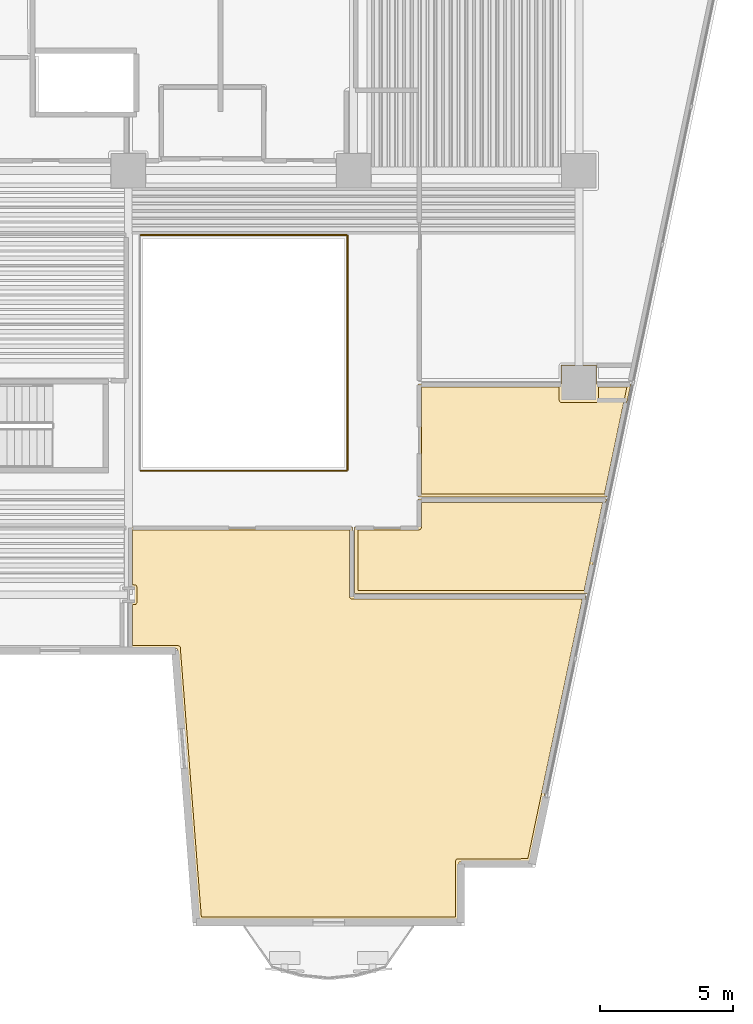
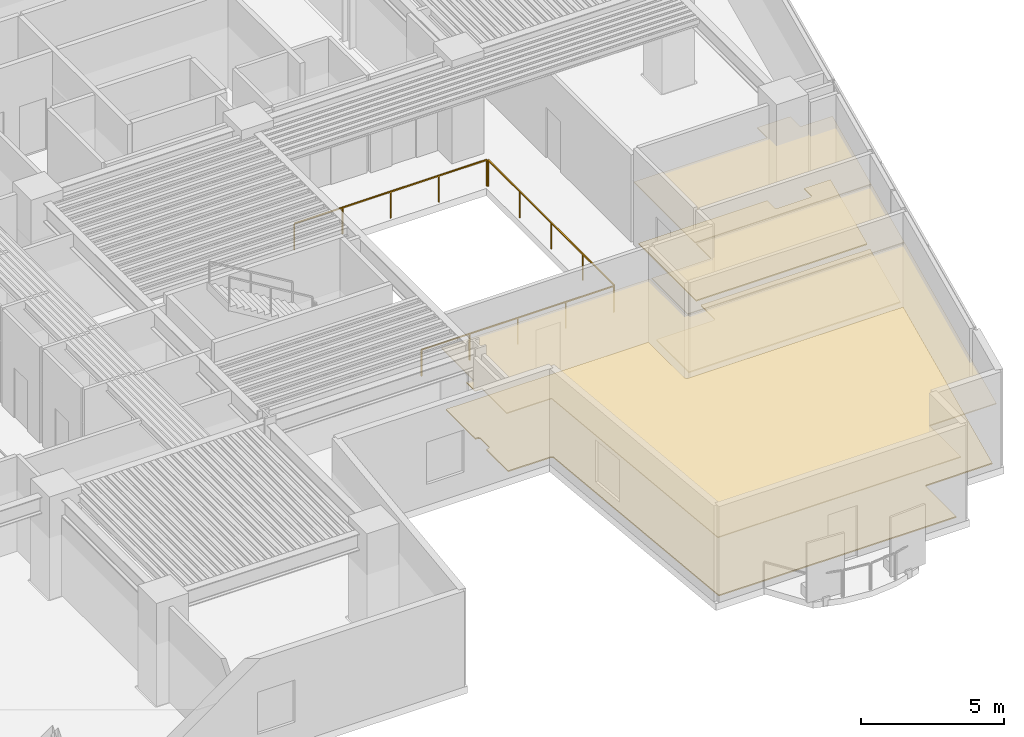
# One storey, part 10 of 12: 6 coverings, 3 railings.
"""IFC4 building model written with IfcOpenShell, lengths in metres."""

import ifcopenshell
import ifcopenshell.guid

model = None  # the IFC model being written
_history = None  # IfcOwnerHistory: only IFC2X3 demands one
_inside = {}  # id of a spatial element -> (the spatial element, [elements in it])
_under = {}  # id of a project, library or spatial element -> (it, [spatial elements below it])
_declared = {}  # id of a project -> (the project, [libraries it declares])
_typed = {}  # id of a type object -> (the type object, [elements of that type])
_made_of = {}  # id of a material, layer set ... -> (it, [elements and type objects made of it])


def new_model(schema):
    """Start an empty IFC model of exactly this schema.

    Asked for "IFC4X3", IfcOpenShell would pick the latest addendum, in which some entities
    have other attributes; the version numbers below select the first issue.
    IFC2X3 requires an IfcOwnerHistory on every rooted entity: one is made here for all.
    """
    global model, _history
    if schema == "IFC4X3":
        model = ifcopenshell.file(schema_version=(4, 3, 0, 0))
    else:
        model = ifcopenshell.file(schema=schema)
    _inside.clear()
    _under.clear()
    _declared.clear()
    _typed.clear()
    _made_of.clear()
    _history = None
    if model.schema == "IFC2X3":
        org = make("IfcOrganization", Name="unknown")
        user = make(
            "IfcPersonAndOrganization",
            ThePerson=make("IfcPerson", FamilyName="unknown"),
            TheOrganization=org,
        )
        app = make(
            "IfcApplication",
            ApplicationDeveloper=org,
            Version="unknown",
            ApplicationFullName="unknown",
            ApplicationIdentifier="unknown",
        )
        _history = make(
            "IfcOwnerHistory",
            OwningUser=user,
            OwningApplication=app,
            ChangeAction="ADDED",
            CreationDate=0,
        )
    return model


def make(cls, **values):
    """One entity of the class cls with the attributes given. An attribute that is None is left unset."""
    return model.create_entity(
        cls, **{name: value for name, value in values.items() if value is not None}
    )


def rooted(cls, **values):
    """An entity with a GlobalId (a new one), such as an element, a storey or a relation."""
    return make(cls, GlobalId=ifcopenshell.guid.new(), OwnerHistory=_history, **values)


def si_unit(unit_type, name, prefix=None):
    """IfcSIUnit, for example si_unit("LENGTHUNIT", "METRE", prefix="MILLI")."""
    return make("IfcSIUnit", UnitType=unit_type, Prefix=prefix, Name=name)


def assignment(units):
    """IfcUnitAssignment: the units of a project."""
    return None if units is None else make("IfcUnitAssignment", Units=units)


def point(xyz):
    """IfcCartesianPoint."""
    return None if xyz is None else make("IfcCartesianPoint", Coordinates=xyz)


def direction(xyz):
    """IfcDirection."""
    return None if xyz is None else make("IfcDirection", DirectionRatios=xyz)


def frame(location, z_axis=None, x_axis=None):
    """IfcAxis2Placement3D, a coordinate frame: its origin and axes. An axis left out is left unset."""
    return make(
        "IfcAxis2Placement3D",
        Location=point(location),
        Axis=direction(z_axis),
        RefDirection=direction(x_axis),
    )


def frame_2d(location, x_axis=None):
    """IfcAxis2Placement2D, a coordinate frame in the plane: its origin and x axis."""
    return make(
        "IfcAxis2Placement2D", Location=point(location), RefDirection=direction(x_axis)
    )


def origin():
    """The frame at (0, 0, 0) with its axes left unset."""
    return frame((0.0, 0.0, 0.0))


def origin_2d():
    """The frame at (0, 0) in the plane with its x axis left unset."""
    return frame_2d((0.0, 0.0))


def place(relative_to, where):
    """IfcLocalPlacement: puts the frame where relative to a parent placement (None: the world)."""
    return make(
        "IfcLocalPlacement", PlacementRelTo=relative_to, RelativePlacement=where
    )


def context(
    kind, dimensions, precision=None, world=None, true_north=None, identifier=None
):
    """IfcGeometricRepresentationContext, for example the 3D "Model" context."""
    return make(
        "IfcGeometricRepresentationContext",
        ContextIdentifier=identifier,
        ContextType=kind,
        CoordinateSpaceDimension=dimensions,
        Precision=precision,
        WorldCoordinateSystem=world,
        TrueNorth=true_north,
    )


def subcontext(parent, identifier, kind, view, scale=None):
    """IfcGeometricRepresentationSubContext, for example "Body" below "Model"."""
    return make(
        "IfcGeometricRepresentationSubContext",
        ContextIdentifier=identifier,
        ContextType=kind,
        ParentContext=parent,
        TargetScale=scale,
        TargetView=view,
    )


def project(units=None, contexts=None):
    """IfcProject with its units and contexts."""
    return rooted(
        "IfcProject",
        Name="project",
        RepresentationContexts=contexts,
        UnitsInContext=assignment(units),
    )


def spatial(cls, under=None, at=None, **own):
    """A site, building, storey or space (cls), placed at a placement, below another one or the project."""
    s = rooted(cls, ObjectPlacement=at, **own)
    if under is not None:
        _under.setdefault(under.id(), (under, []))[1].append(s)
    return s


def polyline(points):
    """IfcPolyline through the points."""
    return make("IfcPolyline", Points=[point(p) for p in points])


def profile(cls, at=None, kind="AREA", **sizes):
    """A parametric profile (cls). Its sizes go by their IFC names, for example OverallWidth=200.0."""
    return make(cls, ProfileType=kind, Position=at, **sizes)


def rectangle(**sizes):
    """IfcRectangleProfileDef."""
    return profile("IfcRectangleProfileDef", **sizes)


def outline(outer, holes=None, kind="AREA"):
    """IfcArbitraryClosedProfileDef: a profile drawn as a closed curve; with holes, ...WithVoids."""
    if holes is None:
        return make("IfcArbitraryClosedProfileDef", ProfileType=kind, OuterCurve=outer)
    return make(
        "IfcArbitraryProfileDefWithVoids",
        ProfileType=kind,
        OuterCurve=outer,
        InnerCurves=holes,
    )


def extrude(swept, where, along, depth):
    """IfcExtrudedAreaSolid: the profile swept, set in the frame where, extruded along a direction by depth."""
    return make(
        "IfcExtrudedAreaSolid",
        SweptArea=swept,
        Position=where,
        ExtrudedDirection=direction(along),
        Depth=depth,
    )


def shape(context_of_items, identifier, shape_type, items):
    """IfcShapeRepresentation: the items that make up one representation, for example the "Body"."""
    return make(
        "IfcShapeRepresentation",
        ContextOfItems=context_of_items,
        RepresentationIdentifier=identifier,
        RepresentationType=shape_type,
        Items=items,
    )


def material(Name=None, Category=None):
    """IfcMaterial."""
    return make("IfcMaterial", Name=Name, Category=Category)


def layer(
    of_material, thickness, ventilated=None, Name=None, Category=None, Priority=None
):
    """IfcMaterialLayer: one layer of a wall or slab, of a material (None: an air gap)."""
    return make(
        "IfcMaterialLayer",
        Material=of_material,
        LayerThickness=thickness,
        IsVentilated=ventilated,
        Name=Name,
        Category=Category,
        Priority=Priority,
    )


def layer_set(layers, Name=None):
    """IfcMaterialLayerSet."""
    return make("IfcMaterialLayerSet", MaterialLayers=layers, LayerSetName=Name)


def made_of(thing, what):
    """Note that an element or type object is made of a material, layer set ...; save() writes the relation."""
    if what is not None:
        _made_of.setdefault(what.id(), (what, []))[1].append(thing)
    return thing


def type_object(cls, material=None, **own):
    """A type object (cls), such as IfcWallType, which elements share."""
    return made_of(rooted(cls, **own), material)


def element(
    cls,
    number,
    at=None,
    inside=None,
    cuts=None,
    type_object=None,
    material=None,
    context=None,
    identifier="Body",
    shape_type=None,
    held_by="IfcProductDefinitionShape",
    body=None,
    shapes=None,
    **own,
):
    """One element of the class cls, such as IfcWall. Its Tag is "e" and its number.

    at: its placement. inside: the storey or other place that contains it. cuts: it is an
    opening in that element (IfcRelVoidsElement). A single representation is given by context,
    identifier, shape_type and body (its items); several are given by shapes. held_by: the class
    of the entity that holds the representations. save() writes the other relations.
    """
    e = rooted(cls, Tag="e%d" % number, ObjectPlacement=at, **own)
    if body is not None:
        shapes = [shape(context, identifier, shape_type, body)]
    if shapes is not None:
        e.Representation = make(held_by, Representations=shapes)
    if inside is not None:
        _inside.setdefault(inside.id(), (inside, []))[1].append(e)
    if cuts is not None:
        rooted(
            "IfcRelVoidsElement", RelatingBuildingElement=cuts, RelatedOpeningElement=e
        )
    if type_object is not None:
        _typed.setdefault(type_object.id(), (type_object, []))[1].append(e)
    return made_of(e, material)


def aggregate(whole, parts):
    """IfcRelAggregates: a whole, such as a stair, and the parts it consists of."""
    return rooted("IfcRelAggregates", RelatingObject=whole, RelatedObjects=parts)


def save(model, path):
    """Write the relations noted so far, then the file.

    IfcRelAggregates (storeys below a building ...), IfcRelContainedInSpatialStructure (elements
    in a storey), IfcRelDefinesByType, IfcRelAssociatesMaterial and IfcRelDeclares: one each for
    every whole, place, type object, material and project.
    """
    for whole, parts in _under.values():
        aggregate(whole, parts)
    for where, things in _inside.values():
        rooted(
            "IfcRelContainedInSpatialStructure",
            RelatedElements=things,
            RelatingStructure=where,
        )
    for kind, things in _typed.values():
        rooted("IfcRelDefinesByType", RelatedObjects=things, RelatingType=kind)
    for what, things in _made_of.values():
        rooted("IfcRelAssociatesMaterial", RelatedObjects=things, RelatingMaterial=what)
    for by, libraries in _declared.values():
        rooted("IfcRelDeclares", RelatingContext=by, RelatedDefinitions=libraries)
    model.write(path)


model = new_model("IFC4")

# Units and contexts
model_context = context("Model", 3, precision=1e-05, world=origin(), true_north=direction((0.0, 1.0)))
body_context = subcontext(model_context, "Body", "Model", "MODEL_VIEW")
ifc_project = project(units=[si_unit("LENGTHUNIT", "METRE"), si_unit("AREAUNIT", "SQUARE_METRE"), si_unit("VOLUMEUNIT", "CUBIC_METRE"), si_unit("PLANEANGLEUNIT", "RADIAN"), si_unit("MASSUNIT", "GRAM", prefix="KILO")], contexts=[model_context])

# Site, building, storey
site_placement = place(None, origin())
site = spatial("IfcSite", under=ifc_project, at=site_placement, CompositionType="ELEMENT")
building_placement = place(site_placement, origin())
building = spatial("IfcBuilding", under=site, at=building_placement, Name="Caeloran Harvest Quay", CompositionType="ELEMENT")
storey_placement = place(building_placement, frame((0.0, 0.0, 35.800048828125)))
storey = spatial("IfcBuildingStorey", under=building, at=storey_placement, Name="L08", CompositionType="ELEMENT", Elevation=35.800048828125)

# Coverings
ifc_material_1 = material(Name="Perforated Mineral-Fibre Acoustic Ceiling Tile", Category="ceiling")
ifc_layer_1 = layer(ifc_material_1, 0.0400390625, Name="Perforated Mineral-Fibre Acoustic Ceiling Tile")
ifc_layer_set_1 = layer_set([ifc_layer_1], Name="Perforated Mineral-Fibre Acoustic Ceiling Tile")
covering_type_1 = type_object("IfcCoveringType", Name="COV-CEILING-ACOUSTIC", PredefinedType="CEILING", material=ifc_layer_set_1)
covering_1_placement = place(storey_placement, frame((0.0, 0.0, 2.599853515625)))
element("IfcCovering", 1, at=covering_1_placement, inside=storey, type_object=covering_type_1, Name="Leafy-Greens Hydroponic Growing Hall Acoustic Ceiling", PredefinedType="CEILING", context=body_context, shape_type="SweptSolid", body=[
    extrude(outline(polyline([(34.0400390625, 14.695556640625), (33.7529296875, 14.695556640625), (33.7529296875, 15.304443359375), (34.0400390625, 15.304443359375), (34.0400390625, 17.56005859375), (42.4599609375, 17.56005859375), (42.4599609375, 14.9599609375), (51.27978515625, 14.9599609375), (49.170654296875, 4.919921875), (46.467041015625, 4.919921875), (46.467041015625, 2.719970703125), (36.64404296875, 2.719970703125), (35.843994140625, 12.969970703125), (34.0400390625, 12.969970703125), (34.0400390625, 14.695556640625)])), origin(), (0.0, 0.0, 1.0), 0.0400390625),
])
covering_2_placement = place(storey_placement, frame((0.0, 0.0, 2.599853515625)))
element("IfcCovering", 2, at=covering_2_placement, inside=storey, type_object=covering_type_1, Name="Nutrient QA Laboratory Acoustic Ceiling", PredefinedType="CEILING", context=body_context, shape_type="SweptSolid", body=[
    extrude(outline(polyline([(44.93994140625, 17.56005859375), (44.93994140625, 18.610107421875), (52.04638671875, 18.610107421875), (51.29638671875, 15.0400390625), (42.5400390625, 15.0400390625), (42.5400390625, 17.56005859375), (44.93994140625, 17.56005859375)])), origin(), (0.0, 0.0, 1.0), 0.0400390625),
])
covering_3_placement = place(storey_placement, frame((0.0, 0.0, 2.599853515625)))
element("IfcCovering", 3, at=covering_3_placement, inside=storey, type_object=covering_type_1, Name="Harvest Cold Buffer Laboratory Acoustic Ceiling", PredefinedType="CEILING", context=body_context, shape_type="SweptSolid", body=[
    extrude(outline(polyline([(44.93994140625, 22.9599609375), (50.330078125, 22.9599609375), (50.330078125, 23.669921875), (51.669921875, 23.669921875), (51.669921875, 22.9599609375), (52.960205078125, 22.9599609375), (52.063232421875, 18.68994140625), (44.93994140625, 18.68994140625), (44.93994140625, 22.9599609375)])), origin(), (0.0, 0.0, 1.0), 0.0400390625),
])
ifc_material_2 = material(Name="Calcium-Sulphate Raised Access Floor and Terrazzo Finish", Category="flooring")
ifc_layer_2 = layer(ifc_material_2, 0.050048828125, Name="Calcium-Sulphate Raised Access Floor and Terrazzo Finish")
ifc_layer_set_2 = layer_set([ifc_layer_2], Name="Calcium-Sulphate Raised Access Floor and Terrazzo Finish")
covering_type_2 = type_object("IfcCoveringType", Name="COV-FLOOR-RAISED", PredefinedType="FLOORING", material=ifc_layer_set_2)
covering_4_placement = place(storey_placement, origin())
element("IfcCovering", 4, at=covering_4_placement, inside=storey, type_object=covering_type_2, Name="Leafy-Greens Hydroponic Growing Hall Raised Finish Flooring", PredefinedType="FLOORING", context=body_context, shape_type="SweptSolid", body=[
    extrude(outline(polyline([(34.159912109375, 13.090087890625), (34.159912109375, 14.62060546875), (34.27978515625, 14.6298828125), (34.322021484375, 14.700439453125), (34.320556640625, 15.315185546875), (34.272705078125, 15.373291015625), (34.159912109375, 15.37939453125), (34.159912109375, 17.43994140625), (42.340087890625, 17.43994140625), (42.340087890625, 14.919921875), (42.404296875, 14.841552734375), (51.1318359375, 14.840087890625), (49.0732421875, 5.0400390625), (46.376220703125, 5.021728515625), (46.346923828125, 4.9599609375), (46.346923828125, 2.840087890625), (36.7548828125, 2.840087890625), (35.9580078125, 13.031982421875), (35.881103515625, 13.090087890625), (34.159912109375, 13.090087890625)])), origin(), (0.0, 0.0, 1.0), 0.050048828125),
])
covering_5_placement = place(storey_placement, origin())
element("IfcCovering", 5, at=covering_5_placement, inside=storey, type_object=covering_type_2, Name="Nutrient QA Laboratory Raised Finish Flooring", PredefinedType="FLOORING", context=body_context, shape_type="SweptSolid", body=[
    extrude(outline(polyline([(44.97802734375, 17.443603515625), (45.037353515625, 17.4833984375), (45.059814453125, 17.543212890625), (45.06005859375, 18.489990234375), (51.898681640625, 18.489990234375), (51.19921875, 15.159912109375), (42.659912109375, 15.159912109375), (42.659912109375, 17.43994140625), (44.97802734375, 17.443603515625)])), origin(), (0.0, 0.0, 1.0), 0.050048828125),
])
covering_6_placement = place(storey_placement, origin())
element("IfcCovering", 6, at=covering_6_placement, inside=storey, type_object=covering_type_2, Name="Harvest Cold Buffer Laboratory Raised Finish Flooring", PredefinedType="FLOORING", context=body_context, shape_type="SweptSolid", body=[
    extrude(outline(polyline([(45.06005859375, 18.81005859375), (45.06005859375, 22.840087890625), (50.2548828125, 22.840087890625), (50.25537109375, 22.3271484375), (50.2841796875, 22.273193359375), (50.3349609375, 22.2548828125), (51.6806640625, 22.256591796875), (51.74462890625, 22.3271484375), (51.7451171875, 22.840087890625), (52.8125, 22.840087890625), (51.9658203125, 18.81005859375), (45.06005859375, 18.81005859375)])), origin(), (0.0, 0.0, 1.0), 0.050048828125),
])

# Railings
ifc_material_3 = material(Name="Powder-Coated Steel Post and Laminated Glass Guardrail", Category="steel")
ifc_layer_3 = layer(ifc_material_3, 0.06005859375, Name="Powder-Coated Steel Post and Laminated Glass Guardrail")
ifc_layer_set_3 = layer_set([ifc_layer_3], Name="Powder-Coated Steel Post and Laminated Glass Guardrail")
railing_type = type_object("IfcRailingType", Name="GUARD-ATRIUM-1150", PredefinedType="GUARDRAIL", material=ifc_layer_set_3)
railing_1_placement = place(storey_placement, frame((34.4619140625, 19.679931640625, 0.0)))
element("IfcRailing", 7, at=railing_1_placement, inside=storey, type_object=railing_type, Name="L08 East Botanical Lightwell Guardrail Seg 1", PredefinedType="GUARDRAIL", context=body_context, shape_type="SweptSolid", body=[
    extrude(rectangle(XDim=0.048095703125, YDim=0.048095703125, at=origin_2d()), frame((0.0, 0.0, 1.1259765625), z_axis=(1.0, 0.0, 0.0), x_axis=(0.0, 1.0, 0.0)), (0.0, 0.0, 1.0), 7.776123046875),
    extrude(rectangle(XDim=0.0419921875, YDim=0.0419921875, at=origin_2d()), origin(), (0.0, 0.0, 1.0), 1.101806640625),
    extrude(rectangle(XDim=0.0419921875, YDim=0.0419921875, at=origin_2d()), frame((1.944091796875, 0.0, 0.0)), (0.0, 0.0, 1.0), 1.101806640625),
    extrude(rectangle(XDim=0.0419921875, YDim=0.0419921875, at=origin_2d()), frame((3.88818359375, 0.0, 0.0)), (0.0, 0.0, 1.0), 1.101806640625),
    extrude(rectangle(XDim=0.0419921875, YDim=0.0419921875, at=origin_2d()), frame((5.83203125, 0.0, 0.0)), (0.0, 0.0, 1.0), 1.101806640625),
    extrude(rectangle(XDim=0.0419921875, YDim=0.0419921875, at=origin_2d()), frame((7.776123046875, 0.0, 0.0)), (0.0, 0.0, 1.0), 1.101806640625),
])
railing_2_placement = place(storey_placement, frame((42.27001953125, 19.7119140625, 0.0)))
element("IfcRailing", 8, at=railing_2_placement, inside=storey, type_object=railing_type, Name="L08 East Botanical Lightwell Guardrail Seg 2", PredefinedType="GUARDRAIL", context=body_context, shape_type="SweptSolid", body=[
    extrude(rectangle(XDim=0.048095703125, YDim=0.048095703125, at=origin_2d()), frame((0.0, 0.0, 1.1259765625), z_axis=(0.0, 1.0, 0.0), x_axis=(-1.0, 0.0, 0.0)), (0.0, 0.0, 1.0), 8.826171875),
    extrude(rectangle(XDim=0.0419921875, YDim=0.0419921875, at=origin_2d()), origin(), (0.0, 0.0, 1.0), 1.101806640625),
    extrude(rectangle(XDim=0.0419921875, YDim=0.0419921875, at=origin_2d()), frame((0.0, 2.20654296875, 0.0)), (0.0, 0.0, 1.0), 1.101806640625),
    extrude(rectangle(XDim=0.0419921875, YDim=0.0419921875, at=origin_2d()), frame((0.0, 4.4130859375, 0.0)), (0.0, 0.0, 1.0), 1.101806640625),
    extrude(rectangle(XDim=0.0419921875, YDim=0.0419921875, at=origin_2d()), frame((0.0, 6.61962890625, 0.0)), (0.0, 0.0, 1.0), 1.101806640625),
    extrude(rectangle(XDim=0.0419921875, YDim=0.0419921875, at=origin_2d()), frame((0.0, 8.826171875, 0.0)), (0.0, 0.0, 1.0), 1.101806640625),
])
railing_3_placement = place(storey_placement, frame((42.238037109375, 28.570068359375, 0.0)))
element("IfcRailing", 9, at=railing_3_placement, inside=storey, type_object=railing_type, Name="L08 East Botanical Lightwell Guardrail Seg 3", PredefinedType="GUARDRAIL", context=body_context, shape_type="SweptSolid", body=[
    extrude(rectangle(XDim=0.048095703125, YDim=0.048095703125, at=origin_2d()), frame((0.0, 0.0, 1.1259765625), z_axis=(-1.0, 0.0, 0.0), x_axis=(0.0, -1.0, 0.0)), (0.0, 0.0, 1.0), 7.776123046875),
    extrude(rectangle(XDim=0.0419921875, YDim=0.0419921875, at=origin_2d()), origin(), (0.0, 0.0, 1.0), 1.101806640625),
    extrude(rectangle(XDim=0.0419921875, YDim=0.0419921875, at=origin_2d()), frame((-1.944091796875, 0.0, 0.0)), (0.0, 0.0, 1.0), 1.101806640625),
    extrude(rectangle(XDim=0.0419921875, YDim=0.0419921875, at=origin_2d()), frame((-3.88818359375, 0.0, 0.0)), (0.0, 0.0, 1.0), 1.101806640625),
    extrude(rectangle(XDim=0.0419921875, YDim=0.0419921875, at=origin_2d()), frame((-5.83203125, 0.0, 0.0)), (0.0, 0.0, 1.0), 1.101806640625),
    extrude(rectangle(XDim=0.0419921875, YDim=0.0419921875, at=origin_2d()), frame((-7.776123046875, 0.0, 0.0)), (0.0, 0.0, 1.0), 1.101806640625),
])

save(model, "model.ifc")
